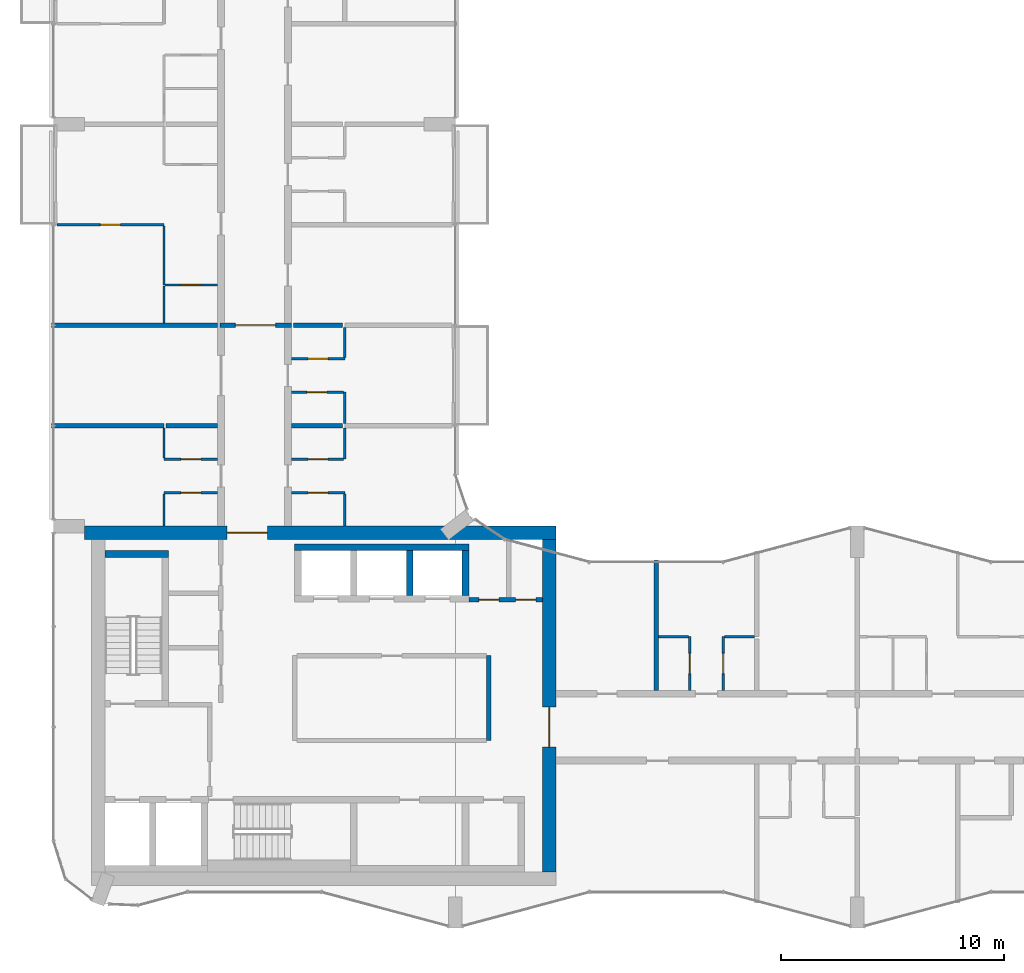
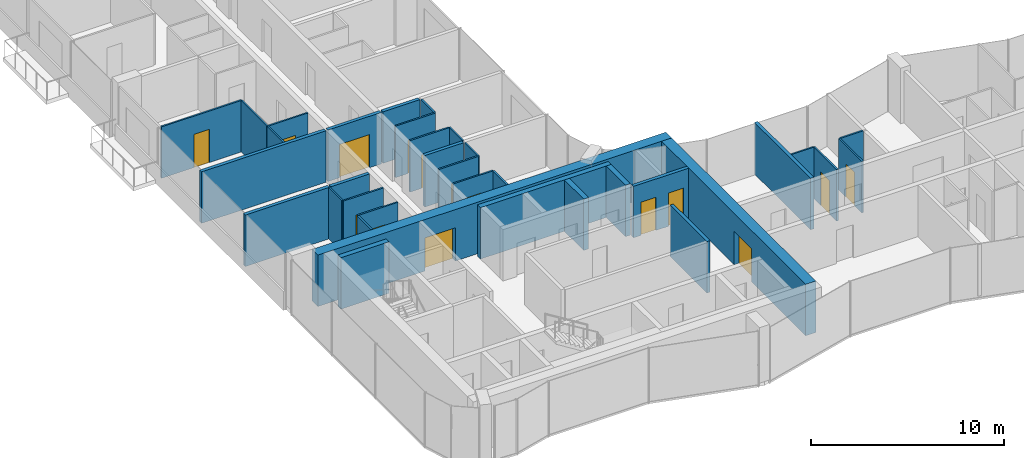
# One storey, part 10 of 15: 35 walls, 15 doors, 15 openings.
"""IFC4 building model written with IfcOpenShell, lengths in metres."""

from ifc_helpers import new_model, si_unit, direction, frame, frame_2d, origin, place, context, subcontext, project, spatial, rectangle, extrude, material, layer, layer_set, type_object, element, fill, save


model = new_model("IFC4")

# Units and contexts
model_context = context("Model", 3, precision=1e-05, world=origin(), true_north=direction((0.0, 1.0)))
body_context = subcontext(model_context, "Body", "Model", "MODEL_VIEW")
ifc_project = project(units=[si_unit("LENGTHUNIT", "METRE"), si_unit("AREAUNIT", "SQUARE_METRE"), si_unit("VOLUMEUNIT", "CUBIC_METRE"), si_unit("PLANEANGLEUNIT", "RADIAN"), si_unit("MASSUNIT", "GRAM", prefix="KILO")], contexts=[model_context])

# Site, building, storey
site_placement = place(None, origin())
site = spatial("IfcSite", under=ifc_project, at=site_placement, CompositionType="ELEMENT")
building_placement = place(site_placement, origin())
building = spatial("IfcBuilding", under=site, at=building_placement, Name="Plateau Cross Towers", CompositionType="ELEMENT")
storey_placement = place(building_placement, frame((0.0, 0.0, 174.39990234375)))
storey = spatial("IfcBuildingStorey", under=building, at=storey_placement, Name="L45", CompositionType="ELEMENT", Elevation=174.39990234375)

# Wall
ifc_material_1 = material(Name="Concrete block, plastered both sides", Category="concrete")
ifc_layer_1 = layer(ifc_material_1, 0.199951171875)
ifc_layer_set_1 = layer_set([ifc_layer_1], Name="Concrete block, plastered both sides")
wall_type_1 = type_object("IfcWallType", Name="Core partition 200", PredefinedType="PARTITIONING", material=ifc_layer_set_1)
wall_1_placement = place(storey_placement, frame((19.5, 8.39990234375, 0.0), z_axis=(0.0, 0.0, 1.0), x_axis=(0.0, 1.0, 0.0)))
element("IfcWall", 1, at=wall_1_placement, inside=storey, type_object=wall_type_1, Name="Core partition", PredefinedType="PARTITIONING", context=body_context, shape_type="SweptSolid", body=[
    extrude(rectangle(XDim=3.800048828125, YDim=0.199951171875, at=frame_2d((1.89990234375, 0.0))), origin(), (0.0, 0.0, 1.0), 3.25),
])

# Wall, openings, doors
wall_2_placement = place(storey_placement, frame((18.60009765625, 14.699951171875, 0.0), z_axis=(0.0, 0.0, 1.0), x_axis=(1.0, 0.0, 0.0)))
wall_2 = element("IfcWall", 2, at=wall_2_placement, inside=storey, type_object=wall_type_1, Name="Core partition", PredefinedType="PARTITIONING", context=body_context, shape_type="SweptSolid", body=[
    extrude(rectangle(XDim=3.2998046875, YDim=0.199951171875, at=frame_2d((1.64990234375, 0.0))), origin(), (0.0, 0.0, 1.0), 3.25),
])
opening_1_placement = place(wall_2_placement, frame((0.449951171875, 0.0, 0.0)))
opening_1 = element("IfcOpeningElement", 3, at=opening_1_placement, cuts=wall_2, Name="Opening RD2", PredefinedType="OPENING", context=body_context, shape_type="SweptSolid", body=[
    extrude(rectangle(XDim=0.89990234375, YDim=2.10009765625, at=frame_2d((0.449951171875, 1.050048828125))), frame((0.0, 0.10986328125, 0.0), z_axis=(0.0, -1.0, 0.0), x_axis=(1.0, 0.0, 0.0)), (0.0, 0.0, 1.0), 0.219970703125),
])
opening_2_placement = place(wall_2_placement, frame((2.10009765625, 0.0, 0.0)))
opening_2 = element("IfcOpeningElement", 4, at=opening_2_placement, cuts=wall_2, Name="Opening RD2", PredefinedType="OPENING", context=body_context, shape_type="SweptSolid", body=[
    extrude(rectangle(XDim=0.89990234375, YDim=2.10009765625, at=frame_2d((0.449951171875, 1.050048828125))), frame((0.0, 0.10986328125, 0.0), z_axis=(0.0, -1.0, 0.0), x_axis=(1.0, 0.0, 0.0)), (0.0, 0.0, 1.0), 0.219970703125),
])
ifc_material_2 = material(Name="Steel, fire-resisting leaf", Category="steel")
door_type_1 = type_object("IfcDoorType", Name="Core riser door 900", OperationType="NOTDEFINED", PredefinedType="DOOR", material=ifc_material_2)
door_1_placement = place(opening_1_placement, origin())
door_1 = element("IfcDoor", 5, at=door_1_placement, inside=storey, type_object=door_type_1, Name="Core riser door RD2", OperationType="SINGLE_SWING_LEFT", OverallHeight=2.10009765625, OverallWidth=0.89990234375, PredefinedType="DOOR", context=body_context, shape_type="SweptSolid", body=[
    extrude(rectangle(XDim=0.89990234375, YDim=2.10009765625, at=frame_2d((0.449951171875, 1.050048828125))), frame((0.0, 0.02490234375, 0.0), z_axis=(0.0, -1.0, 0.0), x_axis=(1.0, 0.0, 0.0)), (0.0, 0.0, 1.0), 0.050048828125),
])
fill(opening_1, door_1)
door_2_placement = place(opening_2_placement, origin())
door_2 = element("IfcDoor", 6, at=door_2_placement, inside=storey, type_object=door_type_1, Name="Core riser door RD2", OperationType="SINGLE_SWING_LEFT", OverallHeight=2.10009765625, OverallWidth=0.89990234375, PredefinedType="DOOR", context=body_context, shape_type="SweptSolid", body=[
    extrude(rectangle(XDim=0.89990234375, YDim=2.10009765625, at=frame_2d((0.449951171875, 1.050048828125))), frame((0.0, 0.02490234375, 0.0), z_axis=(0.0, -1.0, 0.0), x_axis=(1.0, 0.0, 0.0)), (0.0, 0.0, 1.0), 0.050048828125),
])
fill(opening_2, door_2)

# Walls
ifc_material_3 = material(Name="Concrete C60/75", Category="concrete")
ifc_layer_2 = layer(ifc_material_3, 0.300048828125)
ifc_layer_set_2 = layer_set([ifc_layer_2], Name="Concrete C60/75")
wall_type_2 = type_object("IfcWallType", Name="Core shaft wall 300", PredefinedType="SHEAR", material=ifc_layer_set_2)
wall_3_placement = place(storey_placement, frame((2.300048828125, 16.75, 0.0), z_axis=(0.0, 0.0, 1.0), x_axis=(1.0, 0.0, 0.0)))
element("IfcWall", 7, at=wall_3_placement, inside=storey, type_object=wall_type_2, Name="A-st1-N@L45", PredefinedType="SHEAR", context=body_context, shape_type="SweptSolid", body=[
    extrude(rectangle(XDim=2.849853515625, YDim=0.300048828125, at=frame_2d((1.4248046875, 0.0))), origin(), (0.0, 0.0, 1.0), 3.25),
])
wall_4_placement = place(storey_placement, frame((10.800048828125, 17.050048828125, 0.0), z_axis=(0.0, 0.0, 1.0), x_axis=(1.0, 0.0, 0.0)))
element("IfcWall", 8, at=wall_4_placement, inside=storey, type_object=wall_type_2, Name="A-nb-back@L45", PredefinedType="SHEAR", context=body_context, shape_type="SweptSolid", body=[
    extrude(rectangle(XDim=7.800048828125, YDim=0.300048828125, at=frame_2d((3.89990234375, 0.0))), origin(), (0.0, 0.0, 1.0), 3.25),
])
for number, where, z_axis, x_axis, name in (
    (9, (15.949951171875, 14.89990234375, 0.0), (0.0, 0.0, 1.0), (0.0, 1.0, 0.0), "A-nb-v3@L45"),
    (10, (18.449951171875, 14.89990234375, 0.0), (0.0, 0.0, 1.0), (0.0, 1.0, 0.0), "A-nb-v4@L45"),
):
    element("IfcWall", number, at=place(storey_placement, frame(where, z_axis=z_axis, x_axis=x_axis)), inside=storey, type_object=wall_type_2, Name=name, PredefinedType="SHEAR", context=body_context, shape_type="SweptSolid", body=[
        extrude(rectangle(XDim=2.0, YDim=0.300048828125, at=frame_2d((1.0, 0.0))), origin(), (0.0, 0.0, 1.0), 3.25),
    ])

# Wall, opening, door
ifc_layer_3 = layer(ifc_material_3, 0.60009765625)
ifc_layer_set_3 = layer_set([ifc_layer_3], Name="Concrete C60/75")
wall_type_3 = type_object("IfcWallType", Name="Core shell wall 600", PredefinedType="SHEAR", material=ifc_layer_set_3)
wall_5_placement = place(storey_placement, frame((1.3798828125, 17.699951171875, 0.0), z_axis=(0.0, 0.0, 1.0), x_axis=(1.0, 0.0, 0.0)))
wall_5 = element("IfcWall", 11, at=wall_5_placement, inside=storey, type_object=wall_type_3, Name="A-core-N@L45", PredefinedType="SHEAR", context=body_context, shape_type="SweptSolid", body=[
    extrude(rectangle(XDim=21.1201171875, YDim=0.60009765625, at=frame_2d((10.56005859375, 0.0))), origin(), (0.0, 0.0, 1.0), 3.25),
])
opening_3_placement = place(wall_5_placement, frame((6.39990234375, 0.0, 0.0)))
opening_3 = element("IfcOpeningElement", 12, at=opening_3_placement, cuts=wall_5, Name="Opening CD", PredefinedType="OPENING", context=body_context, shape_type="SweptSolid", body=[
    extrude(rectangle(XDim=1.800048828125, YDim=2.10009765625, at=frame_2d((0.89990234375, 1.050048828125))), frame((0.0, 0.31005859375, 0.0), z_axis=(0.0, -1.0, 0.0), x_axis=(1.0, 0.0, 0.0)), (0.0, 0.0, 1.0), 0.6201171875),
])
ifc_material_4 = material(Name="Steel, fire-resisting leaves", Category="steel")
door_type_2 = type_object("IfcDoorType", Name="Corridor door pair 1800", OperationType="NOTDEFINED", PredefinedType="DOOR", material=ifc_material_4)
door_3_placement = place(opening_3_placement, origin())
door_3 = element("IfcDoor", 13, at=door_3_placement, inside=storey, type_object=door_type_2, Name="Corridor door pair CD", OperationType="DOUBLE_DOOR_SINGLE_SWING", OverallHeight=2.10009765625, OverallWidth=1.800048828125, PredefinedType="DOOR", context=body_context, shape_type="SweptSolid", body=[
    extrude(rectangle(XDim=1.800048828125, YDim=2.10009765625, at=frame_2d((0.89990234375, 1.050048828125))), frame((0.0, 0.02490234375, 0.0), z_axis=(0.0, -1.0, 0.0), x_axis=(1.0, 0.0, 0.0)), (0.0, 0.0, 1.0), 0.050048828125),
])
fill(opening_3, door_3)

wall_6_placement = place(storey_placement, frame((22.199951171875, 2.5, 0.0), z_axis=(0.0, 0.0, 1.0), x_axis=(0.0, 1.0, 0.0)))
wall_6 = element("IfcWall", 14, at=wall_6_placement, inside=storey, type_object=wall_type_3, Name="A-core-E@L45", PredefinedType="SHEAR", context=body_context, shape_type="SweptSolid", body=[
    extrude(rectangle(XDim=14.89990234375, YDim=0.60009765625, at=frame_2d((7.449951171875, 0.0))), origin(), (0.0, 0.0, 1.0), 3.25),
])
opening_4_placement = place(wall_6_placement, frame((5.60009765625, 0.0, 0.0)))
opening_4 = element("IfcOpeningElement", 15, at=opening_4_placement, cuts=wall_6, Name="Opening CD", PredefinedType="OPENING", context=body_context, shape_type="SweptSolid", body=[
    extrude(rectangle(XDim=1.800048828125, YDim=2.10009765625, at=frame_2d((0.89990234375, 1.050048828125))), frame((0.0, 0.31005859375, 0.0), z_axis=(0.0, -1.0, 0.0), x_axis=(1.0, 0.0, 0.0)), (0.0, 0.0, 1.0), 0.6201171875),
])
door_4_placement = place(opening_4_placement, origin())
door_4 = element("IfcDoor", 16, at=door_4_placement, inside=storey, type_object=door_type_2, Name="Corridor door pair CD", OperationType="DOUBLE_DOOR_SINGLE_SWING", OverallHeight=2.10009765625, OverallWidth=1.800048828125, PredefinedType="DOOR", context=body_context, shape_type="SweptSolid", body=[
    extrude(rectangle(XDim=1.800048828125, YDim=2.10009765625, at=frame_2d((0.89990234375, 1.050048828125))), frame((0.0, 0.02490234375, 0.0), z_axis=(0.0, -1.0, 0.0), x_axis=(1.0, 0.0, 0.0)), (0.0, 0.0, 1.0), 0.050048828125),
])
fill(opening_4, door_4)

# Walls
ifc_material_5 = material(Name="Gypsum board on steel studs", Category="steel")
ifc_layer_4 = layer(ifc_material_5, 0.10009765625)
ifc_layer_set_4 = layer_set([ifc_layer_4], Name="Gypsum board on steel studs")
wall_type_4 = type_object("IfcWallType", Name="Flat partition 100", PredefinedType="PARTITIONING", material=ifc_layer_set_4)
for number, where, z_axis, x_axis, name in (
    (17, (28.449951171875, 13.050048828125, 0.0), (0.0, 0.0, 1.0), (-1.0, 0.0, 0.0), "Partition wall"),
    (18, (31.39990234375, 13.050048828125, 0.0), (0.0, 0.0, 1.0), (-1.0, 0.0, 0.0), "Partition wall"),
):
    element("IfcWall", number, at=place(storey_placement, frame(where, z_axis=z_axis, x_axis=x_axis)), inside=storey, type_object=wall_type_4, Name=name, PredefinedType="PARTITIONING", context=body_context, shape_type="SweptSolid", body=[
        extrude(rectangle(XDim=1.349853515625, YDim=0.10009765625, at=frame_2d((0.6748046875, 0.0))), origin(), (0.0, 0.0, 1.0), 3.25),
    ])

# Wall, opening, door
wall_7_placement = place(storey_placement, frame((7.35009765625, 19.5, 0.0), z_axis=(0.0, 0.0, 1.0), x_axis=(-1.0, 0.0, 0.0)))
wall_7 = element("IfcWall", 19, at=wall_7_placement, inside=storey, type_object=wall_type_4, Name="Partition wall", PredefinedType="PARTITIONING", context=body_context, shape_type="SweptSolid", body=[
    extrude(rectangle(XDim=2.400146484375, YDim=0.10009765625, at=frame_2d((1.2001953125, 0.0))), origin(), (0.0, 0.0, 1.0), 3.25),
])
opening_5_placement = place(wall_7_placement, frame((0.75, 0.0, 0.0)))
opening_5 = element("IfcOpeningElement", 20, at=opening_5_placement, cuts=wall_7, Name="Opening 45-34", PredefinedType="OPENING", context=body_context, shape_type="SweptSolid", body=[
    extrude(rectangle(XDim=0.89990234375, YDim=2.10009765625, at=frame_2d((0.449951171875, 1.050048828125))), frame((0.0, 0.06005859375, 0.0), z_axis=(0.0, -1.0, 0.0), x_axis=(1.0, 0.0, 0.0)), (0.0, 0.0, 1.0), 0.1201171875),
])
ifc_material_6 = material(Name="Timber leaf", Category="wood")
door_type_3 = type_object("IfcDoorType", Name="Flat room door 900", OperationType="NOTDEFINED", PredefinedType="DOOR", material=ifc_material_6)
door_5_placement = place(opening_5_placement, origin())
door_5 = element("IfcDoor", 21, at=door_5_placement, inside=storey, type_object=door_type_3, Name="Door 45-34", OperationType="SINGLE_SWING_RIGHT", OverallHeight=2.10009765625, OverallWidth=0.89990234375, PredefinedType="DOOR", context=body_context, shape_type="SweptSolid", body=[
    extrude(rectangle(XDim=0.89990234375, YDim=2.10009765625, at=frame_2d((0.449951171875, 1.050048828125))), frame((0.0, 0.02490234375, 0.0), z_axis=(0.0, -1.0, 0.0), x_axis=(1.0, 0.0, 0.0)), (0.0, 0.0, 1.0), 0.050048828125),
])
fill(opening_5, door_5)

wall_8_placement = place(storey_placement, frame((13.050048828125, 19.5, 0.0), z_axis=(0.0, 0.0, 1.0), x_axis=(-1.0, 0.0, 0.0)))
wall_8 = element("IfcWall", 22, at=wall_8_placement, inside=storey, type_object=wall_type_4, Name="Partition wall", PredefinedType="PARTITIONING", context=body_context, shape_type="SweptSolid", body=[
    extrude(rectangle(XDim=2.400146484375, YDim=0.10009765625, at=frame_2d((1.2001953125, 0.0))), origin(), (0.0, 0.0, 1.0), 3.25),
])
opening_6_placement = place(wall_8_placement, frame((0.75, 0.0, 0.0)))
opening_6 = element("IfcOpeningElement", 23, at=opening_6_placement, cuts=wall_8, Name="Opening 45-44", PredefinedType="OPENING", context=body_context, shape_type="SweptSolid", body=[
    extrude(rectangle(XDim=0.89990234375, YDim=2.10009765625, at=frame_2d((0.449951171875, 1.050048828125))), frame((0.0, 0.06005859375, 0.0), z_axis=(0.0, -1.0, 0.0), x_axis=(1.0, 0.0, 0.0)), (0.0, 0.0, 1.0), 0.1201171875),
])
door_6_placement = place(opening_6_placement, origin())
door_6 = element("IfcDoor", 24, at=door_6_placement, inside=storey, type_object=door_type_3, Name="Door 45-44", OperationType="SINGLE_SWING_LEFT", OverallHeight=2.10009765625, OverallWidth=0.89990234375, PredefinedType="DOOR", context=body_context, shape_type="SweptSolid", body=[
    extrude(rectangle(XDim=0.89990234375, YDim=2.10009765625, at=frame_2d((0.449951171875, 1.050048828125))), frame((0.0, 0.02490234375, 0.0), z_axis=(0.0, -1.0, 0.0), x_axis=(1.0, 0.0, 0.0)), (0.0, 0.0, 1.0), 0.050048828125),
])
fill(opening_6, door_6)

wall_9_placement = place(storey_placement, frame((4.949951171875, 21.0, 0.0), z_axis=(0.0, 0.0, 1.0), x_axis=(1.0, 0.0, 0.0)))
wall_9 = element("IfcWall", 25, at=wall_9_placement, inside=storey, type_object=wall_type_4, Name="Partition wall", PredefinedType="PARTITIONING", context=body_context, shape_type="SweptSolid", body=[
    extrude(rectangle(XDim=2.400146484375, YDim=0.10009765625, at=frame_2d((1.2001953125, 0.0))), origin(), (0.0, 0.0, 1.0), 3.25),
])
opening_7_placement = place(wall_9_placement, frame((0.75, 0.0, 0.0)))
opening_7 = element("IfcOpeningElement", 26, at=opening_7_placement, cuts=wall_9, Name="Opening 45-35", PredefinedType="OPENING", context=body_context, shape_type="SweptSolid", body=[
    extrude(rectangle(XDim=0.89990234375, YDim=2.10009765625, at=frame_2d((0.449951171875, 1.050048828125))), frame((0.0, 0.06005859375, 0.0), z_axis=(0.0, -1.0, 0.0), x_axis=(1.0, 0.0, 0.0)), (0.0, 0.0, 1.0), 0.1201171875),
])
door_7_placement = place(opening_7_placement, origin())
door_7 = element("IfcDoor", 27, at=door_7_placement, inside=storey, type_object=door_type_3, Name="Door 45-35", OperationType="SINGLE_SWING_RIGHT", OverallHeight=2.10009765625, OverallWidth=0.89990234375, PredefinedType="DOOR", context=body_context, shape_type="SweptSolid", body=[
    extrude(rectangle(XDim=0.89990234375, YDim=2.10009765625, at=frame_2d((0.449951171875, 1.050048828125))), frame((0.0, 0.02490234375, 0.0), z_axis=(0.0, -1.0, 0.0), x_axis=(1.0, 0.0, 0.0)), (0.0, 0.0, 1.0), 0.050048828125),
])
fill(opening_7, door_7)

wall_10_placement = place(storey_placement, frame((10.64990234375, 21.0, 0.0), z_axis=(0.0, 0.0, 1.0), x_axis=(1.0, 0.0, 0.0)))
wall_10 = element("IfcWall", 28, at=wall_10_placement, inside=storey, type_object=wall_type_4, Name="Partition wall", PredefinedType="PARTITIONING", context=body_context, shape_type="SweptSolid", body=[
    extrude(rectangle(XDim=2.35009765625, YDim=0.10009765625, at=frame_2d((1.175048828125, 0.0))), origin(), (0.0, 0.0, 1.0), 3.25),
])
opening_8_placement = place(wall_10_placement, frame((0.75, 0.0, 0.0)))
opening_8 = element("IfcOpeningElement", 29, at=opening_8_placement, cuts=wall_10, Name="Opening 45-45", PredefinedType="OPENING", context=body_context, shape_type="SweptSolid", body=[
    extrude(rectangle(XDim=0.89990234375, YDim=2.10009765625, at=frame_2d((0.449951171875, 1.050048828125))), frame((0.0, 0.06005859375, 0.0), z_axis=(0.0, -1.0, 0.0), x_axis=(1.0, 0.0, 0.0)), (0.0, 0.0, 1.0), 0.1201171875),
])
door_8_placement = place(opening_8_placement, origin())
door_8 = element("IfcDoor", 30, at=door_8_placement, inside=storey, type_object=door_type_3, Name="Door 45-45", OperationType="SINGLE_SWING_RIGHT", OverallHeight=2.10009765625, OverallWidth=0.89990234375, PredefinedType="DOOR", context=body_context, shape_type="SweptSolid", body=[
    extrude(rectangle(XDim=0.89990234375, YDim=2.10009765625, at=frame_2d((0.449951171875, 1.050048828125))), frame((0.0, 0.02490234375, 0.0), z_axis=(0.0, -1.0, 0.0), x_axis=(1.0, 0.0, 0.0)), (0.0, 0.0, 1.0), 0.050048828125),
])
fill(opening_8, door_8)

wall_11_placement = place(storey_placement, frame((13.0, 24.0, 0.0), z_axis=(0.0, 0.0, 1.0), x_axis=(-1.0, 0.0, 0.0)))
wall_11 = element("IfcWall", 31, at=wall_11_placement, inside=storey, type_object=wall_type_4, Name="Partition wall", PredefinedType="PARTITIONING", context=body_context, shape_type="SweptSolid", body=[
    extrude(rectangle(XDim=2.35009765625, YDim=0.10009765625, at=frame_2d((1.175048828125, 0.0))), origin(), (0.0, 0.0, 1.0), 3.25),
])
opening_9_placement = place(wall_11_placement, frame((0.75, 0.0, 0.0)))
opening_9 = element("IfcOpeningElement", 32, at=opening_9_placement, cuts=wall_11, Name="Opening 45-46", PredefinedType="OPENING", context=body_context, shape_type="SweptSolid", body=[
    extrude(rectangle(XDim=0.89990234375, YDim=2.10009765625, at=frame_2d((0.449951171875, 1.050048828125))), frame((0.0, 0.06005859375, 0.0), z_axis=(0.0, -1.0, 0.0), x_axis=(1.0, 0.0, 0.0)), (0.0, 0.0, 1.0), 0.1201171875),
])
door_9_placement = place(opening_9_placement, origin())
door_9 = element("IfcDoor", 33, at=door_9_placement, inside=storey, type_object=door_type_3, Name="Door 45-46", OperationType="SINGLE_SWING_RIGHT", OverallHeight=2.10009765625, OverallWidth=0.89990234375, PredefinedType="DOOR", context=body_context, shape_type="SweptSolid", body=[
    extrude(rectangle(XDim=0.89990234375, YDim=2.10009765625, at=frame_2d((0.449951171875, 1.050048828125))), frame((0.0, 0.02490234375, 0.0), z_axis=(0.0, -1.0, 0.0), x_axis=(1.0, 0.0, 0.0)), (0.0, 0.0, 1.0), 0.050048828125),
])
fill(opening_9, door_9)

wall_12_placement = place(storey_placement, frame((10.64990234375, 25.5, 0.0), z_axis=(0.0, 0.0, 1.0), x_axis=(1.0, 0.0, 0.0)))
wall_12 = element("IfcWall", 34, at=wall_12_placement, inside=storey, type_object=wall_type_4, Name="Partition wall", PredefinedType="PARTITIONING", context=body_context, shape_type="SweptSolid", body=[
    extrude(rectangle(XDim=2.400146484375, YDim=0.10009765625, at=frame_2d((1.2001953125, 0.0))), origin(), (0.0, 0.0, 1.0), 3.25),
])
opening_10_placement = place(wall_12_placement, frame((0.75, 0.0, 0.0)))
opening_10 = element("IfcOpeningElement", 35, at=opening_10_placement, cuts=wall_12, Name="Opening 45-47", PredefinedType="OPENING", context=body_context, shape_type="SweptSolid", body=[
    extrude(rectangle(XDim=0.89990234375, YDim=2.10009765625, at=frame_2d((0.449951171875, 1.050048828125))), frame((0.0, 0.06005859375, 0.0), z_axis=(0.0, -1.0, 0.0), x_axis=(1.0, 0.0, 0.0)), (0.0, 0.0, 1.0), 0.1201171875),
])
door_10_placement = place(opening_10_placement, origin())
door_10 = element("IfcDoor", 36, at=door_10_placement, inside=storey, type_object=door_type_3, Name="Door 45-47", OperationType="SINGLE_SWING_LEFT", OverallHeight=2.10009765625, OverallWidth=0.89990234375, PredefinedType="DOOR", context=body_context, shape_type="SweptSolid", body=[
    extrude(rectangle(XDim=0.89990234375, YDim=2.10009765625, at=frame_2d((0.449951171875, 1.050048828125))), frame((0.0, 0.02490234375, 0.0), z_axis=(0.0, -1.0, 0.0), x_axis=(1.0, 0.0, 0.0)), (0.0, 0.0, 1.0), 0.050048828125),
])
fill(opening_10, door_10)

wall_13_placement = place(storey_placement, frame((7.35009765625, 28.800048828125, 0.0), z_axis=(0.0, 0.0, 1.0), x_axis=(-1.0, 0.0, 0.0)))
wall_13 = element("IfcWall", 37, at=wall_13_placement, inside=storey, type_object=wall_type_4, Name="Partition wall", PredefinedType="PARTITIONING", context=body_context, shape_type="SweptSolid", body=[
    extrude(rectangle(XDim=2.35009765625, YDim=0.10009765625, at=frame_2d((1.175048828125, 0.0))), origin(), (0.0, 0.0, 1.0), 3.25),
])
opening_11_placement = place(wall_13_placement, frame((0.75, 0.0, 0.0)))
opening_11 = element("IfcOpeningElement", 38, at=opening_11_placement, cuts=wall_13, Name="Opening 45-36", PredefinedType="OPENING", context=body_context, shape_type="SweptSolid", body=[
    extrude(rectangle(XDim=0.89990234375, YDim=2.10009765625, at=frame_2d((0.449951171875, 1.050048828125))), frame((0.0, 0.06005859375, 0.0), z_axis=(0.0, -1.0, 0.0), x_axis=(1.0, 0.0, 0.0)), (0.0, 0.0, 1.0), 0.1201171875),
])
door_11_placement = place(opening_11_placement, origin())
door_11 = element("IfcDoor", 39, at=door_11_placement, inside=storey, type_object=door_type_3, Name="Door 45-36", OperationType="SINGLE_SWING_RIGHT", OverallHeight=2.10009765625, OverallWidth=0.89990234375, PredefinedType="DOOR", context=body_context, shape_type="SweptSolid", body=[
    extrude(rectangle(XDim=0.89990234375, YDim=2.10009765625, at=frame_2d((0.449951171875, 1.050048828125))), frame((0.0, 0.02490234375, 0.0), z_axis=(0.0, -1.0, 0.0), x_axis=(1.0, 0.0, 0.0)), (0.0, 0.0, 1.0), 0.050048828125),
])
fill(opening_11, door_11)

wall_14_placement = place(storey_placement, frame((4.949951171875, 31.5, 0.0), z_axis=(0.0, 0.0, 1.0), x_axis=(-1.0, 0.0, 0.0)))
wall_14 = element("IfcWall", 40, at=wall_14_placement, inside=storey, type_object=wall_type_4, Name="Partition wall", PredefinedType="PARTITIONING", context=body_context, shape_type="SweptSolid", body=[
    extrude(rectangle(XDim=4.800048828125, YDim=0.10009765625, at=frame_2d((2.39990234375, 0.0))), origin(), (0.0, 0.0, 1.0), 3.25),
])
opening_12_placement = place(wall_14_placement, frame((1.949951171875, 0.0, 0.0)))
opening_12 = element("IfcOpeningElement", 41, at=opening_12_placement, cuts=wall_14, Name="Opening 45-38", PredefinedType="OPENING", context=body_context, shape_type="SweptSolid", body=[
    extrude(rectangle(XDim=0.89990234375, YDim=2.10009765625, at=frame_2d((0.449951171875, 1.050048828125))), frame((0.0, 0.06005859375, 0.0), z_axis=(0.0, -1.0, 0.0), x_axis=(1.0, 0.0, 0.0)), (0.0, 0.0, 1.0), 0.1201171875),
])
door_12_placement = place(opening_12_placement, origin())
door_12 = element("IfcDoor", 42, at=door_12_placement, inside=storey, type_object=door_type_3, Name="Door 45-38", OperationType="SINGLE_SWING_LEFT", OverallHeight=2.10009765625, OverallWidth=0.89990234375, PredefinedType="DOOR", context=body_context, shape_type="SweptSolid", body=[
    extrude(rectangle(XDim=0.89990234375, YDim=2.10009765625, at=frame_2d((0.449951171875, 1.050048828125))), frame((0.0, 0.02490234375, 0.0), z_axis=(0.0, -1.0, 0.0), x_axis=(1.0, 0.0, 0.0)), (0.0, 0.0, 1.0), 0.050048828125),
])
fill(opening_12, door_12)

# Walls
wall_15_placement = place(storey_placement, frame((4.949951171875, 19.449951171875, 0.0), z_axis=(0.0, 0.0, 1.0), x_axis=(0.0, -1.0, 0.0)))
element("IfcWall", 43, at=wall_15_placement, inside=storey, type_object=wall_type_4, Name="Partition wall", PredefinedType="PARTITIONING", context=body_context, shape_type="SweptSolid", body=[
    extrude(rectangle(XDim=1.449951171875, YDim=0.10009765625, at=frame_2d((0.72509765625, 0.0))), origin(), (0.0, 0.0, 1.0), 3.25),
])
wall_16_placement = place(storey_placement, frame((4.949951171875, 22.39990234375, 0.0), z_axis=(0.0, 0.0, 1.0), x_axis=(0.0, -1.0, 0.0)))
element("IfcWall", 44, at=wall_16_placement, inside=storey, type_object=wall_type_4, Name="Partition wall", PredefinedType="PARTITIONING", context=body_context, shape_type="SweptSolid", body=[
    extrude(rectangle(XDim=1.349853515625, YDim=0.10009765625, at=frame_2d((0.6748046875, 0.0))), origin(), (0.0, 0.0, 1.0), 3.25),
])
wall_17_placement = place(storey_placement, frame((4.949951171875, 28.75, 0.0), z_axis=(0.0, 0.0, 1.0), x_axis=(0.0, -1.0, 0.0)))
element("IfcWall", 45, at=wall_17_placement, inside=storey, type_object=wall_type_4, Name="Partition wall", PredefinedType="PARTITIONING", context=body_context, shape_type="SweptSolid", body=[
    extrude(rectangle(XDim=1.64990234375, YDim=0.10009765625, at=frame_2d((0.824951171875, 0.0))), origin(), (0.0, 0.0, 1.0), 3.25),
])
wall_18_placement = place(storey_placement, frame((4.949951171875, 28.800048828125, 0.0), z_axis=(0.0, 0.0, 1.0), x_axis=(0.0, 1.0, 0.0)))
element("IfcWall", 46, at=wall_18_placement, inside=storey, type_object=wall_type_4, Name="Partition wall", PredefinedType="PARTITIONING", context=body_context, shape_type="SweptSolid", body=[
    extrude(rectangle(XDim=2.64990234375, YDim=0.10009765625, at=frame_2d((1.324951171875, 0.0))), origin(), (0.0, 0.0, 1.0), 3.25),
])
wall_19_placement = place(storey_placement, frame((13.050048828125, 18.0, 0.0), z_axis=(0.0, 0.0, 1.0), x_axis=(0.0, 1.0, 0.0)))
element("IfcWall", 47, at=wall_19_placement, inside=storey, type_object=wall_type_4, Name="Partition wall", PredefinedType="PARTITIONING", context=body_context, shape_type="SweptSolid", body=[
    extrude(rectangle(XDim=1.449951171875, YDim=0.10009765625, at=frame_2d((0.72509765625, 0.0))), origin(), (0.0, 0.0, 1.0), 3.25),
])
for number, where, z_axis, x_axis, name in (
    (48, (13.050048828125, 21.0, 0.0), (0.0, 0.0, 1.0), (0.0, 1.0, 0.0), "Partition wall"),
    (49, (13.050048828125, 22.60009765625, 0.0), (0.0, 0.0, 1.0), (0.0, 1.0, 0.0), "Partition wall"),
):
    element("IfcWall", number, at=place(storey_placement, frame(where, z_axis=z_axis, x_axis=x_axis)), inside=storey, type_object=wall_type_4, Name=name, PredefinedType="PARTITIONING", context=body_context, shape_type="SweptSolid", body=[
        extrude(rectangle(XDim=1.39990234375, YDim=0.10009765625, at=frame_2d((0.699951171875, 0.0))), origin(), (0.0, 0.0, 1.0), 3.25),
    ])
wall_20_placement = place(storey_placement, frame((13.050048828125, 25.550048828125, 0.0), z_axis=(0.0, 0.0, 1.0), x_axis=(0.0, 1.0, 0.0)))
element("IfcWall", 50, at=wall_20_placement, inside=storey, type_object=wall_type_4, Name="Partition wall", PredefinedType="PARTITIONING", context=body_context, shape_type="SweptSolid", body=[
    extrude(rectangle(XDim=1.349853515625, YDim=0.10009765625, at=frame_2d((0.6748046875, 0.0))), origin(), (0.0, 0.0, 1.0), 3.25),
])

# Wall, opening, door
wall_21_placement = place(storey_placement, frame((28.5, 10.64990234375, 0.0), z_axis=(0.0, 0.0, 1.0), x_axis=(0.0, 1.0, 0.0)))
wall_21 = element("IfcWall", 51, at=wall_21_placement, inside=storey, type_object=wall_type_4, Name="Partition wall", PredefinedType="PARTITIONING", context=body_context, shape_type="SweptSolid", body=[
    extrude(rectangle(XDim=2.400146484375, YDim=0.10009765625, at=frame_2d((1.2001953125, 0.0))), origin(), (0.0, 0.0, 1.0), 3.25),
])
opening_13_placement = place(wall_21_placement, frame((0.75, 0.0, 0.0)))
opening_13 = element("IfcOpeningElement", 52, at=opening_13_placement, cuts=wall_21, Name="Opening 45-27", PredefinedType="OPENING", context=body_context, shape_type="SweptSolid", body=[
    extrude(rectangle(XDim=0.89990234375, YDim=2.10009765625, at=frame_2d((0.449951171875, 1.050048828125))), frame((0.0, 0.06005859375, 0.0), z_axis=(0.0, -1.0, 0.0), x_axis=(1.0, 0.0, 0.0)), (0.0, 0.0, 1.0), 0.1201171875),
])
door_13_placement = place(opening_13_placement, origin())
door_13 = element("IfcDoor", 53, at=door_13_placement, inside=storey, type_object=door_type_3, Name="Door 45-27", OperationType="SINGLE_SWING_LEFT", OverallHeight=2.10009765625, OverallWidth=0.89990234375, PredefinedType="DOOR", context=body_context, shape_type="SweptSolid", body=[
    extrude(rectangle(XDim=0.89990234375, YDim=2.10009765625, at=frame_2d((0.449951171875, 1.050048828125))), frame((0.0, 0.02490234375, 0.0), z_axis=(0.0, -1.0, 0.0), x_axis=(1.0, 0.0, 0.0)), (0.0, 0.0, 1.0), 0.050048828125),
])
fill(opening_13, door_13)

wall_22_placement = place(storey_placement, frame((30.0, 13.050048828125, 0.0), z_axis=(0.0, 0.0, 1.0), x_axis=(0.0, -1.0, 0.0)))
wall_22 = element("IfcWall", 54, at=wall_22_placement, inside=storey, type_object=wall_type_4, Name="Partition wall", PredefinedType="PARTITIONING", context=body_context, shape_type="SweptSolid", body=[
    extrude(rectangle(XDim=2.400146484375, YDim=0.10009765625, at=frame_2d((1.2001953125, 0.0))), origin(), (0.0, 0.0, 1.0), 3.25),
])
opening_14_placement = place(wall_22_placement, frame((0.75, 0.0, 0.0)))
opening_14 = element("IfcOpeningElement", 55, at=opening_14_placement, cuts=wall_22, Name="Opening 45-28", PredefinedType="OPENING", context=body_context, shape_type="SweptSolid", body=[
    extrude(rectangle(XDim=0.89990234375, YDim=2.10009765625, at=frame_2d((0.449951171875, 1.050048828125))), frame((0.0, 0.06005859375, 0.0), z_axis=(0.0, -1.0, 0.0), x_axis=(1.0, 0.0, 0.0)), (0.0, 0.0, 1.0), 0.1201171875),
])
door_14_placement = place(opening_14_placement, origin())
door_14 = element("IfcDoor", 56, at=door_14_placement, inside=storey, type_object=door_type_3, Name="Door 45-28", OperationType="SINGLE_SWING_LEFT", OverallHeight=2.10009765625, OverallWidth=0.89990234375, PredefinedType="DOOR", context=body_context, shape_type="SweptSolid", body=[
    extrude(rectangle(XDim=0.89990234375, YDim=2.10009765625, at=frame_2d((0.449951171875, 1.050048828125))), frame((0.0, 0.02490234375, 0.0), z_axis=(0.0, -1.0, 0.0), x_axis=(1.0, 0.0, 0.0)), (0.0, 0.0, 1.0), 0.050048828125),
])
fill(opening_14, door_14)

# Walls
ifc_material_7 = material(Name="Gypsum board on steel studs, two layers each side", Category="steel")
ifc_layer_5 = layer(ifc_material_7, 0.199951171875)
ifc_layer_set_5 = layer_set([ifc_layer_5], Name="Gypsum board on steel studs, two layers each side")
wall_type_5 = type_object("IfcWallType", Name="Flat party wall 200", PredefinedType="PARTITIONING", material=ifc_layer_set_5)
for number, where, z_axis, x_axis, name in (
    (57, (7.35009765625, 22.5, 0.0), (0.0, 0.0, 1.0), (-1.0, 0.0, 0.0), "Party wall"),
    (58, (12.949951171875, 22.5, 0.0), (0.0, 0.0, 1.0), (-1.0, 0.0, 0.0), "Party wall"),
):
    element("IfcWall", number, at=place(storey_placement, frame(where, z_axis=z_axis, x_axis=x_axis)), inside=storey, type_object=wall_type_5, Name=name, PredefinedType="PARTITIONING", context=body_context, shape_type="SweptSolid", body=[
        extrude(rectangle(XDim=2.300048828125, YDim=0.199951171875, at=frame_2d((1.14990234375, 0.0))), origin(), (0.0, 0.0, 1.0), 3.25),
    ])
wall_23_placement = place(storey_placement, frame((-0.080078125, 22.5, 0.0), z_axis=(0.0, 0.0, 1.0), x_axis=(1.0, 0.0, 0.0)))
element("IfcWall", 59, at=wall_23_placement, inside=storey, type_object=wall_type_5, Name="Party wall", PredefinedType="PARTITIONING", context=body_context, shape_type="SweptSolid", body=[
    extrude(rectangle(XDim=5.030029296875, YDim=0.199951171875, at=frame_2d((2.51513671875, 0.0))), origin(), (0.0, 0.0, 1.0), 3.25),
])
wall_24_placement = place(storey_placement, frame((7.35009765625, 27.0, 0.0), z_axis=(0.0, 0.0, 1.0), x_axis=(-1.0, 0.0, 0.0)))
element("IfcWall", 60, at=wall_24_placement, inside=storey, type_object=wall_type_5, Name="Party wall", PredefinedType="PARTITIONING", context=body_context, shape_type="SweptSolid", body=[
    extrude(rectangle(XDim=7.43017578125, YDim=0.199951171875, at=frame_2d((3.715087890625, 0.0))), origin(), (0.0, 0.0, 1.0), 3.25),
])
wall_25_placement = place(storey_placement, frame((12.949951171875, 27.0, 0.0), z_axis=(0.0, 0.0, 1.0), x_axis=(-1.0, 0.0, 0.0)))
element("IfcWall", 61, at=wall_25_placement, inside=storey, type_object=wall_type_5, Name="Party wall", PredefinedType="PARTITIONING", context=body_context, shape_type="SweptSolid", body=[
    extrude(rectangle(XDim=2.199951171875, YDim=0.199951171875, at=frame_2d((1.10009765625, 0.0))), origin(), (0.0, 0.0, 1.0), 3.25),
])
wall_26_placement = place(storey_placement, frame((27.0, 10.64990234375, 0.0), z_axis=(0.0, 0.0, 1.0), x_axis=(0.0, 1.0, 0.0)))
element("IfcWall", 62, at=wall_26_placement, inside=storey, type_object=wall_type_5, Name="Party wall", PredefinedType="PARTITIONING", context=body_context, shape_type="SweptSolid", body=[
    extrude(rectangle(XDim=5.8232421875, YDim=0.199951171875, at=frame_2d((2.91162109375, 0.0))), origin(), (0.0, 0.0, 1.0), 3.25),
])

# Wall, opening, door
wall_27_placement = place(storey_placement, frame((7.449951171875, 27.0, 0.0), z_axis=(0.0, 0.0, 1.0), x_axis=(1.0, 0.0, 0.0)))
wall_27 = element("IfcWall", 63, at=wall_27_placement, inside=storey, type_object=wall_type_5, Name="Party wall", PredefinedType="PARTITIONING", context=body_context, shape_type="SweptSolid", body=[
    extrude(rectangle(XDim=3.199951171875, YDim=0.199951171875, at=frame_2d((1.60009765625, 0.0))), origin(), (0.0, 0.0, 1.0), 3.25),
])
opening_15_placement = place(wall_27_placement, frame((0.699951171875, 0.0, 0.0)))
opening_15 = element("IfcOpeningElement", 64, at=opening_15_placement, cuts=wall_27, Name="Opening 45-22", PredefinedType="OPENING", context=body_context, shape_type="SweptSolid", body=[
    extrude(rectangle(XDim=1.800048828125, YDim=2.10009765625, at=frame_2d((0.89990234375, 1.050048828125))), frame((0.0, 0.10986328125, 0.0), z_axis=(0.0, -1.0, 0.0), x_axis=(1.0, 0.0, 0.0)), (0.0, 0.0, 1.0), 0.219970703125),
])
ifc_material_8 = material(Name="Timber, fire-resisting leaves", Category="wood")
door_type_4 = type_object("IfcDoorType", Name="Flat floor fire door pair 1800", OperationType="NOTDEFINED", PredefinedType="DOOR", material=ifc_material_8)
door_15_placement = place(opening_15_placement, origin())
door_15 = element("IfcDoor", 65, at=door_15_placement, inside=storey, type_object=door_type_4, Name="Door 45-22", OperationType="SINGLE_SWING_LEFT", OverallHeight=2.10009765625, OverallWidth=1.800048828125, PredefinedType="DOOR", context=body_context, shape_type="SweptSolid", body=[
    extrude(rectangle(XDim=1.800048828125, YDim=2.10009765625, at=frame_2d((0.89990234375, 1.050048828125))), frame((0.0, 0.02490234375, 0.0), z_axis=(0.0, -1.0, 0.0), x_axis=(1.0, 0.0, 0.0)), (0.0, 0.0, 1.0), 0.050048828125),
])
fill(opening_15, door_15)

save(model, "model.ifc")
